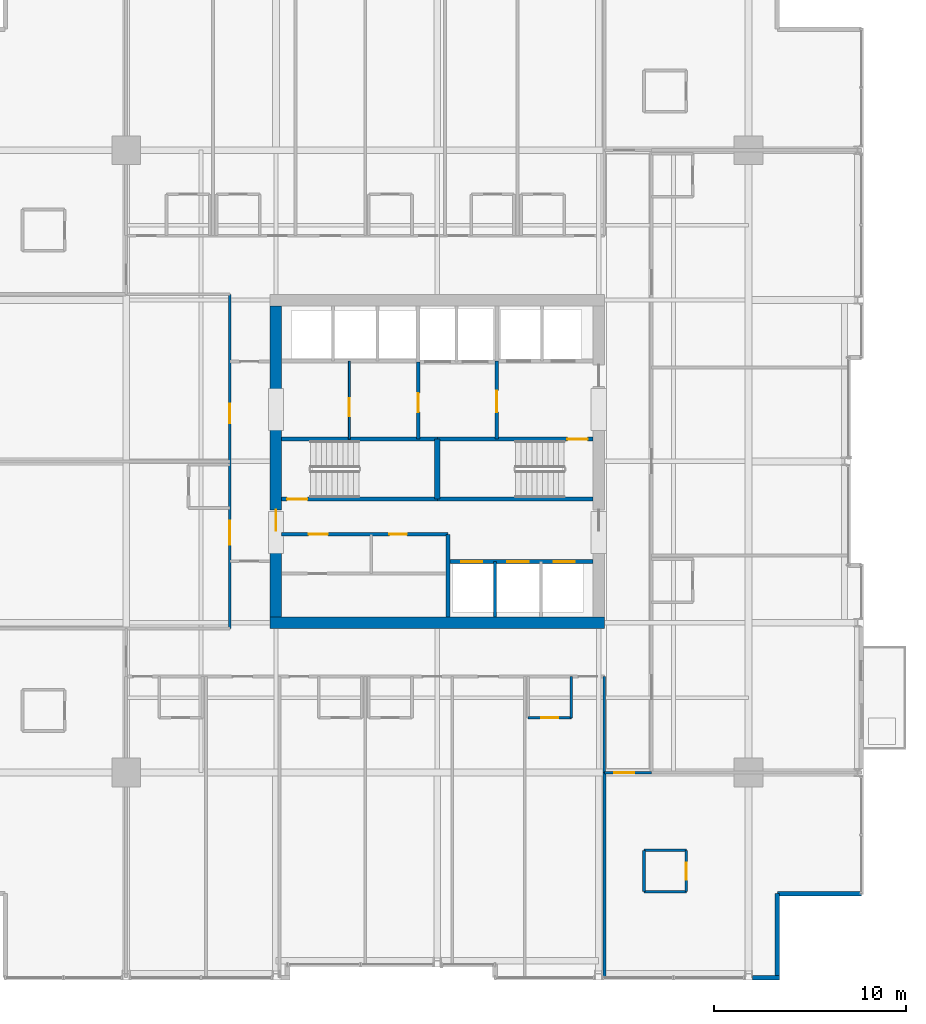
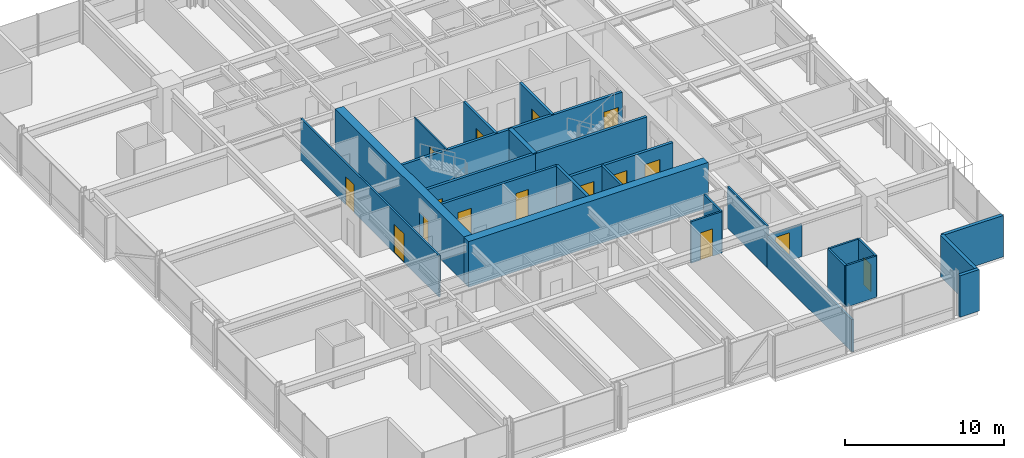
# One storey, part 29 of 35: 27 walls, 16 doors, 16 openings.
"""IFC4 building model written with IfcOpenShell, lengths in metres."""

from ifc_helpers import new_model, si_unit, direction, frame, frame_2d, origin, place, context, subcontext, project, spatial, rectangle, extrude, material, layer, layer_set, type_object, element, fill, save


model = new_model("IFC4")

# Units and contexts
model_context = context("Model", 3, precision=1e-05, world=origin(), true_north=direction((0.0, 1.0)))
body_context = subcontext(model_context, "Body", "Model", "MODEL_VIEW")
ifc_project = project(units=[si_unit("LENGTHUNIT", "METRE"), si_unit("AREAUNIT", "SQUARE_METRE"), si_unit("VOLUMEUNIT", "CUBIC_METRE"), si_unit("PLANEANGLEUNIT", "RADIAN"), si_unit("MASSUNIT", "GRAM", prefix="KILO")], contexts=[model_context])

# Site, building, storey
site_placement = place(None, origin())
site = spatial("IfcSite", under=ifc_project, at=site_placement, CompositionType="ELEMENT")
building_placement = place(site_placement, origin())
building = spatial("IfcBuilding", under=site, at=building_placement, Name="Drelvath Grand Hotel", CompositionType="ELEMENT")
storey_placement = place(building_placement, frame((0.0, 0.0, 137.300048828125)))
storey = spatial("IfcBuildingStorey", under=building, at=storey_placement, Name="L35", CompositionType="ELEMENT", Elevation=137.300048828125)

# Wall, opening, door
ifc_material_1 = material(Name="Gypsum Partition Board")
ifc_layer_1 = layer(ifc_material_1, 0.10009765625)
ifc_layer_set_1 = layer_set([ifc_layer_1], Name="Gypsum Partition Board")
wall_type_1 = type_object("IfcWallType", Name="Core Closet Partition 100", PredefinedType="PARTITIONING", material=ifc_layer_set_1)
wall_1_placement = place(storey_placement, frame((-4.580078125, 28.159912109375, 0.0), z_axis=(0.0, 0.0, 1.0), x_axis=(0.0, 1.0, 0.0)))
wall_1 = element("IfcWall", 1, at=wall_1_placement, inside=storey, type_object=wall_type_1, Name="L35 Core Closet Divider", PredefinedType="PARTITIONING", context=body_context, shape_type="SweptSolid", body=[
    extrude(rectangle(XDim=4.06005859375, YDim=0.10009765625, at=frame_2d((2.030029296875, 0.0))), origin(), (0.0, 0.0, 1.0), 3.179931640625),
])
opening_1_placement = place(wall_1_placement, frame((1.199951171875, 0.0, 0.0)))
opening_1 = element("IfcOpeningElement", 2, at=opening_1_placement, cuts=wall_1, Name="Opening D-T2G5-010", PredefinedType="OPENING", context=body_context, shape_type="SweptSolid", body=[
    extrude(rectangle(XDim=0.919921875, YDim=2.10009765625, at=frame_2d((0.4599609375, 1.050048828125))), frame((0.0, 0.06005859375, 0.0), z_axis=(0.0, -1.0, 0.0), x_axis=(1.0, 0.0, 0.0)), (0.0, 0.0, 1.0), 0.1201171875),
])
ifc_material_2 = material(Name="Painted Steel S275", Category="steel")
door_type_1 = type_object("IfcDoorType", Name="Staff Utility Door 920x2100", OperationType="NOTDEFINED", PredefinedType="DOOR", material=ifc_material_2)
door_1_placement = place(opening_1_placement, origin())
door_1 = element("IfcDoor", 3, at=door_1_placement, inside=storey, type_object=door_type_1, Name="L35 Electrical Closet Door", OperationType="SINGLE_SWING_RIGHT", OverallHeight=2.10009765625, OverallWidth=0.919921875, PredefinedType="DOOR", context=body_context, shape_type="SweptSolid", body=[
    extrude(rectangle(XDim=0.919921875, YDim=2.10009765625, at=frame_2d((0.4599609375, 1.050048828125))), frame((0.0, 0.02490234375, 0.0), z_axis=(0.0, -1.0, 0.0), x_axis=(1.0, 0.0, 0.0)), (0.0, 0.0, 1.0), 0.050048828125),
])
fill(opening_1, door_1)

# Wall, openings, doors
ifc_material_3 = material(Name="Concrete C40/50", Category="concrete")
ifc_layer_2 = layer(ifc_material_3, 0.199951171875)
ifc_layer_set_2 = layer_set([ifc_layer_2], Name="Concrete C40/50")
wall_type_2 = type_object("IfcWallType", Name="Core Hoistway Fire Wall 200", PredefinedType="SOLIDWALL", material=ifc_layer_set_2)
wall_2_placement = place(storey_placement, frame((8.10009765625, 21.780029296875, 0.0), z_axis=(0.0, 0.0, 1.0), x_axis=(-1.0, 0.0, 0.0)))
wall_2 = element("IfcWall", 4, at=wall_2_placement, inside=storey, type_object=wall_type_2, Name="L35 Bank 2 Hoistway Wall", PredefinedType="SOLIDWALL", context=body_context, shape_type="SweptSolid", body=[
    extrude(rectangle(XDim=7.550048828125, YDim=0.199951171875, at=frame_2d((3.77490234375, 0.0))), origin(), (0.0, 0.0, 1.0), 3.179931640625),
])
opening_2_placement = place(wall_2_placement, frame((5.75, 0.0, 0.0)))
opening_2 = element("IfcOpeningElement", 5, at=opening_2_placement, cuts=wall_2, Name="Opening LD-PE-4", PredefinedType="OPENING", context=body_context, shape_type="SweptSolid", body=[
    extrude(rectangle(XDim=1.10009765625, YDim=2.199951171875, at=frame_2d((0.550048828125, 1.10009765625))), frame((0.0, 0.10986328125, 0.0), z_axis=(0.0, -1.0, 0.0), x_axis=(1.0, 0.0, 0.0)), (0.0, 0.0, 1.0), 0.219970703125),
])
opening_3_placement = place(wall_2_placement, frame((3.35009765625, 0.0, 0.0)))
opening_3 = element("IfcOpeningElement", 6, at=opening_3_placement, cuts=wall_2, Name="Opening LD-PE-5", PredefinedType="OPENING", context=body_context, shape_type="SweptSolid", body=[
    extrude(rectangle(XDim=1.10009765625, YDim=2.199951171875, at=frame_2d((0.550048828125, 1.10009765625))), frame((0.0, 0.10986328125, 0.0), z_axis=(0.0, -1.0, 0.0), x_axis=(1.0, 0.0, 0.0)), (0.0, 0.0, 1.0), 0.219970703125),
])
opening_4_placement = place(wall_2_placement, frame((0.949951171875, 0.0, 0.0)))
opening_4 = element("IfcOpeningElement", 7, at=opening_4_placement, cuts=wall_2, Name="Opening LD-PE-6", PredefinedType="OPENING", context=body_context, shape_type="SweptSolid", body=[
    extrude(rectangle(XDim=1.10009765625, YDim=2.199951171875, at=frame_2d((0.550048828125, 1.10009765625))), frame((0.0, 0.10986328125, 0.0), z_axis=(0.0, -1.0, 0.0), x_axis=(1.0, 0.0, 0.0)), (0.0, 0.0, 1.0), 0.219970703125),
])
ifc_material_4 = material(Name="Stainless Steel S355", Category="steel")
door_type_2 = type_object("IfcDoorType", Name="Passenger Lift Sliding Landing Door 1100x2200", OperationType="NOTDEFINED", PredefinedType="DOOR", material=ifc_material_4)
door_2_placement = place(opening_2_placement, origin())
door_2 = element("IfcDoor", 8, at=door_2_placement, inside=storey, type_object=door_type_2, Name="L35 Lift PE-4 Landing Door", OperationType="SLIDING_TO_LEFT", OverallHeight=2.199951171875, OverallWidth=1.10009765625, PredefinedType="DOOR", context=body_context, shape_type="SweptSolid", body=[
    extrude(rectangle(XDim=1.10009765625, YDim=2.199951171875, at=frame_2d((0.550048828125, 1.10009765625))), frame((0.0, 0.02490234375, 0.0), z_axis=(0.0, -1.0, 0.0), x_axis=(1.0, 0.0, 0.0)), (0.0, 0.0, 1.0), 0.050048828125),
])
fill(opening_2, door_2)
door_3_placement = place(opening_3_placement, origin())
door_3 = element("IfcDoor", 9, at=door_3_placement, inside=storey, type_object=door_type_2, Name="L35 Lift PE-5 Landing Door", OperationType="SLIDING_TO_LEFT", OverallHeight=2.199951171875, OverallWidth=1.10009765625, PredefinedType="DOOR", context=body_context, shape_type="SweptSolid", body=[
    extrude(rectangle(XDim=1.10009765625, YDim=2.199951171875, at=frame_2d((0.550048828125, 1.10009765625))), frame((0.0, 0.02490234375, 0.0), z_axis=(0.0, -1.0, 0.0), x_axis=(1.0, 0.0, 0.0)), (0.0, 0.0, 1.0), 0.050048828125),
])
fill(opening_3, door_3)
door_4_placement = place(opening_4_placement, origin())
door_4 = element("IfcDoor", 10, at=door_4_placement, inside=storey, type_object=door_type_2, Name="L35 Lift PE-6 Landing Door", OperationType="SLIDING_TO_LEFT", OverallHeight=2.199951171875, OverallWidth=1.10009765625, PredefinedType="DOOR", context=body_context, shape_type="SweptSolid", body=[
    extrude(rectangle(XDim=1.10009765625, YDim=2.199951171875, at=frame_2d((0.550048828125, 1.10009765625))), frame((0.0, 0.02490234375, 0.0), z_axis=(0.0, -1.0, 0.0), x_axis=(1.0, 0.0, 0.0)), (0.0, 0.0, 1.0), 0.050048828125),
])
fill(opening_4, door_4)

# Wall
wall_3_placement = place(storey_placement, frame((0.550048828125, 18.89990234375, 0.0), z_axis=(0.0, 0.0, 1.0), x_axis=(0.0, 1.0, 0.0)))
element("IfcWall", 11, at=wall_3_placement, inside=storey, type_object=wall_type_2, Name="L35 Bank 2 West Wall", PredefinedType="SOLIDWALL", context=body_context, shape_type="SweptSolid", body=[
    extrude(rectangle(XDim=4.300048828125, YDim=0.199951171875, at=frame_2d((2.14990234375, 0.0))), origin(), (0.0, 0.0, 1.0), 3.179931640625),
])

# Wall, opening, door
ifc_layer_3 = layer(ifc_material_3, 0.199951171875)
ifc_layer_set_3 = layer_set([ifc_layer_3], Name="Concrete C40/50")
wall_type_3 = type_object("IfcWallType", Name="Core Shaft Fire Wall 200", PredefinedType="SOLIDWALL", material=ifc_layer_set_3)
wall_4_placement = place(storey_placement, frame((-8.10009765625, 25.0400390625, 0.0), z_axis=(0.0, 0.0, 1.0), x_axis=(1.0, 0.0, 0.0)))
wall_4 = element("IfcWall", 12, at=wall_4_placement, inside=storey, type_object=wall_type_3, Name="L35 Stair ST-1 South Wall", PredefinedType="SOLIDWALL", context=body_context, shape_type="SweptSolid", body=[
    extrude(rectangle(XDim=8.10009765625, YDim=0.199951171875, at=frame_2d((4.050048828125, 0.0))), origin(), (0.0, 0.0, 1.0), 3.179931640625),
])
opening_5_placement = place(wall_4_placement, frame((0.280029296875, 0.0, 0.0)))
opening_5 = element("IfcOpeningElement", 13, at=opening_5_placement, cuts=wall_4, Name="Opening D-T2G5-001", PredefinedType="OPENING", context=body_context, shape_type="SweptSolid", body=[
    extrude(rectangle(XDim=1.050048828125, YDim=2.10009765625, at=frame_2d((0.52490234375, 1.050048828125))), frame((0.0, 0.10986328125, 0.0), z_axis=(0.0, -1.0, 0.0), x_axis=(1.0, 0.0, 0.0)), (0.0, 0.0, 1.0), 0.219970703125),
])
door_type_3 = type_object("IfcDoorType", Name="Tower Stairwell Fire Door 1050x2100", OperationType="NOTDEFINED", PredefinedType="DOOR", material=ifc_material_2)
door_5_placement = place(opening_5_placement, origin())
door_5 = element("IfcDoor", 14, at=door_5_placement, inside=storey, type_object=door_type_3, Name="L35 Exit Stair ST-1 Door", OperationType="SINGLE_SWING_LEFT", OverallHeight=2.10009765625, OverallWidth=1.050048828125, PredefinedType="DOOR", context=body_context, shape_type="SweptSolid", body=[
    extrude(rectangle(XDim=1.050048828125, YDim=2.10009765625, at=frame_2d((0.52490234375, 1.050048828125))), frame((0.0, 0.02490234375, 0.0), z_axis=(0.0, -1.0, 0.0), x_axis=(1.0, 0.0, 0.0)), (0.0, 0.0, 1.0), 0.050048828125),
])
fill(opening_5, door_5)

# Walls
for number, where, z_axis, x_axis, name in (
    (15, (-8.10009765625, 28.159912109375, 0.0), (0.0, 0.0, 1.0), (1.0, 0.0, 0.0), "L35 Stair ST-1 North Wall"),
    (16, (0.0, 25.0400390625, 0.0), (0.0, 0.0, 1.0), (1.0, 0.0, 0.0), "L35 Stair ST-2 South Wall"),
):
    element("IfcWall", number, at=place(storey_placement, frame(where, z_axis=z_axis, x_axis=x_axis)), inside=storey, type_object=wall_type_3, Name=name, PredefinedType="SOLIDWALL", context=body_context, shape_type="SweptSolid", body=[
        extrude(rectangle(XDim=8.10009765625, YDim=0.199951171875, at=frame_2d((4.050048828125, 0.0))), origin(), (0.0, 0.0, 1.0), 3.179931640625),
    ])

# Wall, opening, door
wall_5_placement = place(storey_placement, frame((8.10009765625, 28.159912109375, 0.0), z_axis=(0.0, 0.0, 1.0), x_axis=(-1.0, 0.0, 0.0)))
wall_5 = element("IfcWall", 17, at=wall_5_placement, inside=storey, type_object=wall_type_3, Name="L35 Stair ST-2 North Wall", PredefinedType="SOLIDWALL", context=body_context, shape_type="SweptSolid", body=[
    extrude(rectangle(XDim=8.10009765625, YDim=0.199951171875, at=frame_2d((4.050048828125, 0.0))), origin(), (0.0, 0.0, 1.0), 3.179931640625),
])
opening_6_placement = place(wall_5_placement, frame((0.280029296875, 0.0, 0.0)))
opening_6 = element("IfcOpeningElement", 18, at=opening_6_placement, cuts=wall_5, Name="Opening D-T2G5-002", PredefinedType="OPENING", context=body_context, shape_type="SweptSolid", body=[
    extrude(rectangle(XDim=1.050048828125, YDim=2.10009765625, at=frame_2d((0.52490234375, 1.050048828125))), frame((0.0, 0.10986328125, 0.0), z_axis=(0.0, -1.0, 0.0), x_axis=(1.0, 0.0, 0.0)), (0.0, 0.0, 1.0), 0.219970703125),
])
door_6_placement = place(opening_6_placement, origin())
door_6 = element("IfcDoor", 19, at=door_6_placement, inside=storey, type_object=door_type_3, Name="L35 Exit Stair ST-2 Door", OperationType="SINGLE_SWING_LEFT", OverallHeight=2.10009765625, OverallWidth=1.050048828125, PredefinedType="DOOR", context=body_context, shape_type="SweptSolid", body=[
    extrude(rectangle(XDim=1.050048828125, YDim=2.10009765625, at=frame_2d((0.52490234375, 1.050048828125))), frame((0.0, 0.02490234375, 0.0), z_axis=(0.0, -1.0, 0.0), x_axis=(1.0, 0.0, 0.0)), (0.0, 0.0, 1.0), 0.050048828125),
])
fill(opening_6, door_6)

# Walls
ifc_layer_4 = layer(ifc_material_3, 0.300048828125)
ifc_layer_set_4 = layer_set([ifc_layer_4], Name="Concrete C40/50")
wall_type_4 = type_object("IfcWallType", Name="Core Shaft Fire Wall 300", PredefinedType="SOLIDWALL", material=ifc_layer_set_4)
wall_6_placement = place(storey_placement, frame((0.0, 25.0400390625, 0.0), z_axis=(0.0, 0.0, 1.0), x_axis=(0.0, 1.0, 0.0)))
element("IfcWall", 20, at=wall_6_placement, inside=storey, type_object=wall_type_4, Name="L35 Core Stair Divider Wall", PredefinedType="SOLIDWALL", context=body_context, shape_type="SweptSolid", body=[
    extrude(rectangle(XDim=3.119873046875, YDim=0.300048828125, at=frame_2d((1.56005859375, 0.0))), origin(), (0.0, 0.0, 1.0), 3.179931640625),
])
ifc_material_5 = material(Name="Gypsum Fireboard Partition")
ifc_layer_5 = layer(ifc_material_5, 0.1650390625)
ifc_layer_set_5 = layer_set([ifc_layer_5], Name="Gypsum Fireboard Partition")
wall_type_5 = type_object("IfcWallType", Name="Core Shaft Partition 165", PredefinedType="PARTITIONING", material=ifc_layer_set_5)
wall_7_placement = place(storey_placement, frame((3.0, 18.89990234375, 0.0), z_axis=(0.0, 0.0, 1.0), x_axis=(0.0, 1.0, 0.0)))
element("IfcWall", 21, at=wall_7_placement, inside=storey, type_object=wall_type_5, Name="L35 Lift PE-4/5 Divider", PredefinedType="PARTITIONING", context=body_context, shape_type="SweptSolid", body=[
    extrude(rectangle(XDim=2.880126953125, YDim=0.1650390625, at=frame_2d((1.43994140625, 0.0))), origin(), (0.0, 0.0, 1.0), 3.179931640625),
])
ifc_layer_6 = layer(ifc_material_5, 0.135009765625)
ifc_layer_set_6 = layer_set([ifc_layer_6], Name="Gypsum Fireboard Partition")
wall_type_6 = type_object("IfcWallType", Name="Corridor Fire Barrier Wall 135", PredefinedType="PARTITIONING", material=ifc_layer_set_6)
wall_8_placement = place(storey_placement, frame((8.699951171875, 10.800048828125, 0.0), z_axis=(0.0, 0.0, 1.0), x_axis=(0.0, 1.0, 0.0)))
element("IfcWall", 22, at=wall_8_placement, inside=storey, type_object=wall_type_6, Name="L35 East Spine South Inner Wall", PredefinedType="PARTITIONING", context=body_context, shape_type="SweptSolid", body=[
    extrude(rectangle(XDim=5.0, YDim=0.135009765625, at=frame_2d((2.5, 0.0))), origin(), (0.0, 0.0, 1.0), 3.179931640625),
])

# Wall, openings, doors
wall_9_placement = place(storey_placement, frame((-10.800048828125, 18.300048828125, 0.0), z_axis=(0.0, 0.0, 1.0), x_axis=(0.0, 1.0, 0.0)))
wall_9 = element("IfcWall", 23, at=wall_9_placement, inside=storey, type_object=wall_type_6, Name="L35 West Spine Wall", PredefinedType="PARTITIONING", context=body_context, shape_type="SweptSolid", body=[
    extrude(rectangle(XDim=17.39990234375, YDim=0.135009765625, at=frame_2d((8.699951171875, 0.0))), origin(), (0.0, 0.0, 1.0), 3.179931640625),
])
opening_7_placement = place(wall_9_placement, frame((4.35498046875, 0.0, 0.0)))
opening_7 = element("IfcOpeningElement", 24, at=opening_7_placement, cuts=wall_9, Name="Opening D-T2G5-056", PredefinedType="OPENING", context=body_context, shape_type="SweptSolid", body=[
    extrude(rectangle(XDim=1.260009765625, YDim=2.199951171875, at=frame_2d((0.6298828125, 1.10009765625))), frame((0.0, 0.077392578125, 0.0), z_axis=(0.0, -1.0, 0.0), x_axis=(1.0, 0.0, 0.0)), (0.0, 0.0, 1.0), 0.155029296875),
])
opening_8_placement = place(wall_9_placement, frame((10.68994140625, 0.0, 0.0)))
opening_8 = element("IfcOpeningElement", 25, at=opening_8_placement, cuts=wall_9, Name="Opening D-T2G5-057", PredefinedType="OPENING", context=body_context, shape_type="SweptSolid", body=[
    extrude(rectangle(XDim=1.02001953125, YDim=2.14990234375, at=frame_2d((0.510009765625, 1.074951171875))), frame((0.0, 0.077392578125, 0.0), z_axis=(0.0, -1.0, 0.0), x_axis=(1.0, 0.0, 0.0)), (0.0, 0.0, 1.0), 0.155029296875),
])
ifc_material_6 = material(Name="Hardwood Walnut Timber", Category="wood")
door_type_4 = type_object("IfcDoorType", Name="Amenity Meeting Fire Door 1020x2150", OperationType="NOTDEFINED", PredefinedType="DOOR", material=ifc_material_6)
door_7_placement = place(opening_8_placement, origin())
door_7 = element("IfcDoor", 26, at=door_7_placement, inside=storey, type_object=door_type_4, Name="L35 Spa Hydrotherapy Room Entry Door", OperationType="SINGLE_SWING_RIGHT", OverallHeight=2.14990234375, OverallWidth=1.02001953125, PredefinedType="DOOR", context=body_context, shape_type="SweptSolid", body=[
    extrude(rectangle(XDim=1.02001953125, YDim=2.14990234375, at=frame_2d((0.510009765625, 1.074951171875))), frame((0.0, 0.02490234375, 0.0), z_axis=(0.0, -1.0, 0.0), x_axis=(1.0, 0.0, 0.0)), (0.0, 0.0, 1.0), 0.050048828125),
])
fill(opening_8, door_7)
door_type_5 = type_object("IfcDoorType", Name="Suite Entrance Fire Door 1260x2200", OperationType="NOTDEFINED", PredefinedType="DOOR", material=ifc_material_6)
door_8_placement = place(opening_7_placement, origin())
door_8 = element("IfcDoor", 27, at=door_8_placement, inside=storey, type_object=door_type_5, Name="L35 Corner Suite Entry Door", OperationType="SINGLE_SWING_LEFT", OverallHeight=2.199951171875, OverallWidth=1.260009765625, PredefinedType="DOOR", context=body_context, shape_type="SweptSolid", body=[
    extrude(rectangle(XDim=1.260009765625, YDim=2.199951171875, at=frame_2d((0.6298828125, 1.10009765625))), frame((0.0, 0.02490234375, 0.0), z_axis=(0.0, -1.0, 0.0), x_axis=(1.0, 0.0, 0.0)), (0.0, 0.0, 1.0), 0.050048828125),
])
fill(opening_7, door_8)

# Wall, opening, door
wall_10_placement = place(storey_placement, frame((8.699951171875, 10.800048828125, 0.0), z_axis=(0.0, 0.0, 1.0), x_axis=(1.0, 0.0, 0.0)))
wall_10 = element("IfcWall", 28, at=wall_10_placement, inside=storey, type_object=wall_type_6, Name="L35 East Spine South End", PredefinedType="PARTITIONING", context=body_context, shape_type="SweptSolid", body=[
    extrude(rectangle(XDim=2.449951171875, YDim=0.135009765625, at=frame_2d((1.22509765625, 0.0))), origin(), (0.0, 0.0, 1.0), 2.469482421875),
])
opening_9_placement = place(wall_10_placement, frame((0.52001953125, 0.0, 0.0)))
opening_9 = element("IfcOpeningElement", 29, at=opening_9_placement, cuts=wall_10, Name="Opening D-T2G5-026", PredefinedType="OPENING", context=body_context, shape_type="SweptSolid", body=[
    extrude(rectangle(XDim=1.02001953125, YDim=2.14990234375, at=frame_2d((0.510009765625, 1.074951171875))), frame((0.0, 0.077392578125, 0.0), z_axis=(0.0, -1.0, 0.0), x_axis=(1.0, 0.0, 0.0)), (0.0, 0.0, 1.0), 0.155029296875),
])
door_9_placement = place(opening_9_placement, origin())
door_9 = element("IfcDoor", 30, at=door_9_placement, inside=storey, type_object=door_type_4, Name="L35 Corner Suite Entry Door", OperationType="SINGLE_SWING_LEFT", OverallHeight=2.14990234375, OverallWidth=1.02001953125, PredefinedType="DOOR", context=body_context, shape_type="SweptSolid", body=[
    extrude(rectangle(XDim=1.02001953125, YDim=2.14990234375, at=frame_2d((0.510009765625, 1.074951171875))), frame((0.0, 0.02490234375, 0.0), z_axis=(0.0, -1.0, 0.0), x_axis=(1.0, 0.0, 0.0)), (0.0, 0.0, 1.0), 0.050048828125),
])
fill(opening_9, door_9)

# Walls
ifc_material_7 = material(Name="Moisture-Resistant Gypsum Board")
ifc_layer_7 = layer(ifc_material_7, 0.139892578125)
ifc_layer_set_7 = layer_set([ifc_layer_7], Name="Moisture-Resistant Gypsum Board")
wall_type_7 = type_object("IfcWallType", Name="En-Suite Plumbing Wall 140", PredefinedType="PLUMBINGWALL", material=ifc_layer_set_7)
for number, where, z_axis, x_axis, name in (
    (31, (10.760009765625, 4.60009765625, 0.0), (0.0, 0.0, 1.0), (1.0, 0.0, 0.0), "L35 Corner En-Suite South"),
    (32, (10.760009765625, 6.75, 0.0), (0.0, 0.0, 1.0), (1.0, 0.0, 0.0), "L35 Corner En-Suite North"),
):
    element("IfcWall", number, at=place(storey_placement, frame(where, z_axis=z_axis, x_axis=x_axis)), inside=storey, type_object=wall_type_7, Name=name, PredefinedType="PLUMBINGWALL", context=body_context, shape_type="SweptSolid", body=[
        extrude(rectangle(XDim=2.199951171875, YDim=0.139892578125, at=frame_2d((1.10009765625, 0.0))), origin(), (0.0, 0.0, 1.0), 3.179931640625),
    ])
wall_11_placement = place(storey_placement, frame((10.760009765625, 4.60009765625, 0.0), z_axis=(0.0, 0.0, 1.0), x_axis=(0.0, 1.0, 0.0)))
element("IfcWall", 33, at=wall_11_placement, inside=storey, type_object=wall_type_7, Name="L35 Corner En-Suite West", PredefinedType="PLUMBINGWALL", context=body_context, shape_type="SweptSolid", body=[
    extrude(rectangle(XDim=2.14990234375, YDim=0.139892578125, at=frame_2d((1.074951171875, 0.0))), origin(), (0.0, 0.0, 1.0), 3.179931640625),
])

# Wall, opening, door
wall_12_placement = place(storey_placement, frame((12.9599609375, 4.60009765625, 0.0), z_axis=(0.0, 0.0, 1.0), x_axis=(0.0, 1.0, 0.0)))
wall_12 = element("IfcWall", 34, at=wall_12_placement, inside=storey, type_object=wall_type_7, Name="L35 Corner En-Suite East", PredefinedType="PLUMBINGWALL", context=body_context, shape_type="SweptSolid", body=[
    extrude(rectangle(XDim=2.14990234375, YDim=0.139892578125, at=frame_2d((1.074951171875, 0.0))), origin(), (0.0, 0.0, 1.0), 3.179931640625),
])
opening_10_placement = place(wall_12_placement, frame((0.6201171875, 0.0, 0.0)))
opening_10 = element("IfcOpeningElement", 35, at=opening_10_placement, cuts=wall_12, Name="Opening D-T2G5-025", PredefinedType="OPENING", context=body_context, shape_type="SweptSolid", body=[
    extrude(rectangle(XDim=0.8798828125, YDim=2.10009765625, at=frame_2d((0.43994140625, 1.050048828125))), frame((0.0, 0.079833984375, 0.0), z_axis=(0.0, -1.0, 0.0), x_axis=(1.0, 0.0, 0.0)), (0.0, 0.0, 1.0), 0.159912109375),
])
door_type_6 = type_object("IfcDoorType", Name="En-Suite Bathroom Door 880x2100", OperationType="NOTDEFINED", PredefinedType="DOOR", material=ifc_material_6)
door_10_placement = place(opening_10_placement, origin())
door_10 = element("IfcDoor", 36, at=door_10_placement, inside=storey, type_object=door_type_6, Name="L35 Corner En-Suite Door", OperationType="SINGLE_SWING_RIGHT", OverallHeight=2.10009765625, OverallWidth=0.8798828125, PredefinedType="DOOR", context=body_context, shape_type="SweptSolid", body=[
    extrude(rectangle(XDim=0.8798828125, YDim=2.10009765625, at=frame_2d((0.43994140625, 1.050048828125))), frame((0.0, 0.02490234375, 0.0), z_axis=(0.0, -1.0, 0.0), x_axis=(1.0, 0.0, 0.0)), (0.0, 0.0, 1.0), 0.050048828125),
])
fill(opening_10, door_10)

# Wall
wall_13_placement = place(storey_placement, frame((6.97998046875, 15.800048828125, 0.0), z_axis=(0.0, 0.0, 1.0), x_axis=(0.0, -1.0, 0.0)))
element("IfcWall", 37, at=wall_13_placement, inside=storey, type_object=wall_type_7, Name="L35 En-Suite Right Wall", PredefinedType="PLUMBINGWALL", context=body_context, shape_type="SweptSolid", body=[
    extrude(rectangle(XDim=2.150146484375, YDim=0.139892578125, at=frame_2d((1.0751953125, 0.0))), origin(), (0.0, 0.0, 1.0), 3.179931640625),
])

# Wall, opening, door
wall_14_placement = place(storey_placement, frame((4.72998046875, 13.64990234375, 0.0), z_axis=(0.0, 0.0, 1.0), x_axis=(1.0, 0.0, 0.0)))
wall_14 = element("IfcWall", 38, at=wall_14_placement, inside=storey, type_object=wall_type_7, Name="L35 En-Suite Front Wall", PredefinedType="PLUMBINGWALL", context=body_context, shape_type="SweptSolid", body=[
    extrude(rectangle(XDim=2.25, YDim=0.139892578125, at=frame_2d((1.125, 0.0))), origin(), (0.0, 0.0, 1.0), 3.179931640625),
])
opening_11_placement = place(wall_14_placement, frame((0.68505859375, 0.0, 0.0)))
opening_11 = element("IfcOpeningElement", 39, at=opening_11_placement, cuts=wall_14, Name="Opening D-T2G5-037", PredefinedType="OPENING", context=body_context, shape_type="SweptSolid", body=[
    extrude(rectangle(XDim=0.8798828125, YDim=2.10009765625, at=frame_2d((0.43994140625, 1.050048828125))), frame((0.0, 0.079833984375, 0.0), z_axis=(0.0, -1.0, 0.0), x_axis=(1.0, 0.0, 0.0)), (0.0, 0.0, 1.0), 0.159912109375),
])
door_11_placement = place(opening_11_placement, origin())
door_11 = element("IfcDoor", 40, at=door_11_placement, inside=storey, type_object=door_type_6, Name="L35 En-Suite Bathroom Door", OperationType="SINGLE_SWING_RIGHT", OverallHeight=2.10009765625, OverallWidth=0.8798828125, PredefinedType="DOOR", context=body_context, shape_type="SweptSolid", body=[
    extrude(rectangle(XDim=0.8798828125, YDim=2.10009765625, at=frame_2d((0.43994140625, 1.050048828125))), frame((0.0, 0.02490234375, 0.0), z_axis=(0.0, -1.0, 0.0), x_axis=(1.0, 0.0, 0.0)), (0.0, 0.0, 1.0), 0.050048828125),
])
fill(opening_11, door_11)

ifc_layer_8 = layer(ifc_material_5, 0.179931640625)
ifc_layer_set_8 = layer_set([ifc_layer_8], Name="Gypsum Fireboard Partition")
wall_type_8 = type_object("IfcWallType", Name="FSAE Smoke Lobby Fire Wall 180", PredefinedType="SOLIDWALL", material=ifc_layer_set_8)
wall_15_placement = place(storey_placement, frame((3.10009765625, 28.159912109375, 0.0), z_axis=(0.0, 0.0, 1.0), x_axis=(0.0, 1.0, 0.0)))
wall_15 = element("IfcWall", 41, at=wall_15_placement, inside=storey, type_object=wall_type_8, Name="L35 FSAE Smoke Lobby West Wall", PredefinedType="SOLIDWALL", context=body_context, shape_type="SweptSolid", body=[
    extrude(rectangle(XDim=4.06005859375, YDim=0.179931640625, at=frame_2d((2.030029296875, 0.0))), origin(), (0.0, 0.0, 1.0), 3.179931640625),
])
opening_12_placement = place(wall_15_placement, frame((1.39990234375, 0.0, 0.0)))
opening_12 = element("IfcOpeningElement", 42, at=opening_12_placement, cuts=wall_15, Name="Opening D-T2G5-005", PredefinedType="OPENING", context=body_context, shape_type="SweptSolid", body=[
    extrude(rectangle(XDim=1.1201171875, YDim=2.10009765625, at=frame_2d((0.56005859375, 1.050048828125))), frame((0.0, 0.099853515625, 0.0), z_axis=(0.0, -1.0, 0.0), x_axis=(1.0, 0.0, 0.0)), (0.0, 0.0, 1.0), 0.199951171875),
])
door_type_7 = type_object("IfcDoorType", Name="FSAE Smoke Lobby Fire Door 1120x2100", OperationType="NOTDEFINED", PredefinedType="DOOR", material=ifc_material_2)
door_12_placement = place(opening_12_placement, origin())
door_12 = element("IfcDoor", 43, at=door_12_placement, inside=storey, type_object=door_type_7, Name="L35 FSAE Lobby Service Vestibule Door", OperationType="SINGLE_SWING_RIGHT", OverallHeight=2.10009765625, OverallWidth=1.1201171875, PredefinedType="DOOR", context=body_context, shape_type="SweptSolid", body=[
    extrude(rectangle(XDim=1.1201171875, YDim=2.10009765625, at=frame_2d((0.56005859375, 1.050048828125))), frame((0.0, 0.02490234375, 0.0), z_axis=(0.0, -1.0, 0.0), x_axis=(1.0, 0.0, 0.0)), (0.0, 0.0, 1.0), 0.050048828125),
])
fill(opening_12, door_12)

wall_16_placement = place(storey_placement, frame((-1.0, 28.159912109375, 0.0), z_axis=(0.0, 0.0, 1.0), x_axis=(0.0, 1.0, 0.0)))
wall_16 = element("IfcWall", 44, at=wall_16_placement, inside=storey, type_object=wall_type_8, Name="L35 Service Vestibule West Wall", PredefinedType="SOLIDWALL", context=body_context, shape_type="SweptSolid", body=[
    extrude(rectangle(XDim=4.02001953125, YDim=0.179931640625, at=frame_2d((2.010009765625, 0.0))), origin(), (0.0, 0.0, 1.0), 3.179931640625),
])
opening_13_placement = place(wall_16_placement, frame((1.39990234375, 0.0, 0.0)))
opening_13 = element("IfcOpeningElement", 45, at=opening_13_placement, cuts=wall_16, Name="Opening D-T2G5-009", PredefinedType="OPENING", context=body_context, shape_type="SweptSolid", body=[
    extrude(rectangle(XDim=1.0, YDim=2.10009765625, at=frame_2d((0.5, 1.050048828125))), frame((0.0, 0.099853515625, 0.0), z_axis=(0.0, -1.0, 0.0), x_axis=(1.0, 0.0, 0.0)), (0.0, 0.0, 1.0), 0.199951171875),
])
door_type_8 = type_object("IfcDoorType", Name="Core Service Fire Door 1000x2100", OperationType="NOTDEFINED", PredefinedType="DOOR", material=ifc_material_2)
door_13_placement = place(opening_13_placement, origin())
door_13 = element("IfcDoor", 46, at=door_13_placement, inside=storey, type_object=door_type_8, Name="L35 Service Vestibule West Door", OperationType="SINGLE_SWING_LEFT", OverallHeight=2.10009765625, OverallWidth=1.0, PredefinedType="DOOR", context=body_context, shape_type="SweptSolid", body=[
    extrude(rectangle(XDim=1.0, YDim=2.10009765625, at=frame_2d((0.5, 1.050048828125))), frame((0.0, 0.02490234375, 0.0), z_axis=(0.0, -1.0, 0.0), x_axis=(1.0, 0.0, 0.0)), (0.0, 0.0, 1.0), 0.050048828125),
])
fill(opening_13, door_13)

# Wall, openings, doors
wall_17_placement = place(storey_placement, frame((-8.10009765625, 23.199951171875, 0.0), z_axis=(0.0, 0.0, 1.0), x_axis=(1.0, 0.0, 0.0)))
wall_17 = element("IfcWall", 47, at=wall_17_placement, inside=storey, type_object=wall_type_8, Name="L35 Reclaimed Core Room Wall", PredefinedType="SOLIDWALL", context=body_context, shape_type="SweptSolid", body=[
    extrude(rectangle(XDim=8.650146484375, YDim=0.179931640625, at=frame_2d((4.3251953125, 0.0))), origin(), (0.0, 0.0, 1.0), 3.179931640625),
])
opening_14_placement = place(wall_17_placement, frame((1.39990234375, 0.0, 0.0)))
opening_14 = element("IfcOpeningElement", 48, at=opening_14_placement, cuts=wall_17, Name="Opening D-T2G5-016", PredefinedType="OPENING", context=body_context, shape_type="SweptSolid", body=[
    extrude(rectangle(XDim=1.0, YDim=2.10009765625, at=frame_2d((0.5, 1.050048828125))), frame((0.0, 0.099853515625, 0.0), z_axis=(0.0, -1.0, 0.0), x_axis=(1.0, 0.0, 0.0)), (0.0, 0.0, 1.0), 0.199951171875),
])
opening_15_placement = place(wall_17_placement, frame((5.60009765625, 0.0, 0.0)))
opening_15 = element("IfcOpeningElement", 49, at=opening_15_placement, cuts=wall_17, Name="Opening D-T2G5-017", PredefinedType="OPENING", context=body_context, shape_type="SweptSolid", body=[
    extrude(rectangle(XDim=0.919921875, YDim=2.10009765625, at=frame_2d((0.4599609375, 1.050048828125))), frame((0.0, 0.099853515625, 0.0), z_axis=(0.0, -1.0, 0.0), x_axis=(1.0, 0.0, 0.0)), (0.0, 0.0, 1.0), 0.199951171875),
])
door_14_placement = place(opening_14_placement, origin())
door_14 = element("IfcDoor", 50, at=door_14_placement, inside=storey, type_object=door_type_8, Name="L35 Valet Room Door", OperationType="SINGLE_SWING_LEFT", OverallHeight=2.10009765625, OverallWidth=1.0, PredefinedType="DOOR", context=body_context, shape_type="SweptSolid", body=[
    extrude(rectangle(XDim=1.0, YDim=2.10009765625, at=frame_2d((0.5, 1.050048828125))), frame((0.0, 0.02490234375, 0.0), z_axis=(0.0, -1.0, 0.0), x_axis=(1.0, 0.0, 0.0)), (0.0, 0.0, 1.0), 0.050048828125),
])
fill(opening_14, door_14)
door_15_placement = place(opening_15_placement, origin())
door_15 = element("IfcDoor", 51, at=door_15_placement, inside=storey, type_object=door_type_8, Name="L35 Staff WC Door", OperationType="SINGLE_SWING_RIGHT", OverallHeight=2.10009765625, OverallWidth=0.919921875, PredefinedType="DOOR", context=body_context, shape_type="SweptSolid", body=[
    extrude(rectangle(XDim=0.919921875, YDim=2.10009765625, at=frame_2d((0.4599609375, 1.050048828125))), frame((0.0, 0.02490234375, 0.0), z_axis=(0.0, -1.0, 0.0), x_axis=(1.0, 0.0, 0.0)), (0.0, 0.0, 1.0), 0.050048828125),
])
fill(opening_15, door_15)

# Wall
ifc_material_8 = material(Name="Concrete f'c 70 MPa", Category="concrete")
ifc_layer_9 = layer(ifc_material_8, 0.60009765625)
ifc_layer_set_9 = layer_set([ifc_layer_9], Name="Concrete f'c 70 MPa")
wall_type_9 = type_object("IfcWallType", Name="Lower Core RC Shear Wall 600", PredefinedType="SHEAR", material=ifc_layer_set_9)
wall_18_placement = place(storey_placement, frame((8.699951171875, 18.60009765625, 0.0), z_axis=(0.0, 0.0, 1.0), x_axis=(-1.0, 0.0, 0.0)))
element("IfcWall", 52, at=wall_18_placement, inside=storey, type_object=wall_type_9, Name="L35 Central Core Shear Wall S", PredefinedType="SHEAR", context=body_context, shape_type="SweptSolid", body=[
    extrude(rectangle(XDim=17.39990234375, YDim=0.60009765625, at=frame_2d((8.699951171875, 0.0))), origin(), (0.0, 0.0, 1.0), 3.5),
])

# Wall, opening, door
wall_19_placement = place(storey_placement, frame((-8.39990234375, 18.89990234375, 0.0), z_axis=(0.0, 0.0, 1.0), x_axis=(0.0, 1.0, 0.0)))
wall_19 = element("IfcWall", 53, at=wall_19_placement, inside=storey, type_object=wall_type_9, Name="L35 Central Core Shear Wall W", PredefinedType="SHEAR", context=body_context, shape_type="SweptSolid", body=[
    extrude(rectangle(XDim=16.2001953125, YDim=0.60009765625, at=frame_2d((8.10009765625, 0.0))), origin(), (0.0, 0.0, 1.0), 3.5),
])
opening_16_placement = place(wall_19_placement, frame((4.5, 0.0, 0.0)))
opening_16 = element("IfcOpeningElement", 54, at=opening_16_placement, cuts=wall_19, Name="Opening D-T2G5-014", PredefinedType="OPENING", context=body_context, shape_type="SweptSolid", body=[
    extrude(rectangle(XDim=1.080078125, YDim=2.0400390625, at=frame_2d((0.5400390625, 1.02001953125))), frame((0.0, 0.31005859375, 0.0), z_axis=(0.0, -1.0, 0.0), x_axis=(1.0, 0.0, 0.0)), (0.0, 0.0, 1.0), 0.6201171875),
])
door_type_9 = type_object("IfcDoorType", Name="Core Corridor Fire Door 1080x2100", OperationType="NOTDEFINED", PredefinedType="DOOR", material=ifc_material_2)
door_16_placement = place(opening_16_placement, origin())
door_16 = element("IfcDoor", 55, at=door_16_placement, inside=storey, type_object=door_type_9, Name="L35 Mid-Rise Lobby West Door", OperationType="SINGLE_SWING_LEFT", OverallHeight=2.0400390625, OverallWidth=1.080078125, PredefinedType="DOOR", context=body_context, shape_type="SweptSolid", body=[
    extrude(rectangle(XDim=1.080078125, YDim=2.0400390625, at=frame_2d((0.5400390625, 1.02001953125))), frame((0.0, 0.02490234375, 0.0), z_axis=(0.0, -1.0, 0.0), x_axis=(1.0, 0.0, 0.0)), (0.0, 0.0, 1.0), 0.050048828125),
])
fill(opening_16, door_16)

# Walls
ifc_material_9 = material(Name="Gypsum Acoustic Partition")
ifc_layer_10 = layer(ifc_material_9, 0.1650390625)
ifc_layer_set_10 = layer_set([ifc_layer_10], Name="Gypsum Acoustic Partition")
wall_type_10 = type_object("IfcWallType", Name="Suite Demising Wall 165", PredefinedType="PARTITIONING", material=ifc_layer_set_10)
wall_20_placement = place(storey_placement, frame((8.699951171875, 0.1201171875, 0.0), z_axis=(0.0, 0.0, 1.0), x_axis=(0.0, 1.0, 0.0)))
element("IfcWall", 56, at=wall_20_placement, inside=storey, type_object=wall_type_10, Name="L35 SE Suite West Wall", PredefinedType="PARTITIONING", context=body_context, shape_type="SweptSolid", body=[
    extrude(rectangle(XDim=10.679931640625, YDim=0.1650390625, at=frame_2d((5.33984375, 0.0))), origin(), (0.0, 0.0, 1.0), 2.469482421875),
])
ifc_material_10 = material(Name="Pale-Metal Insulated Aluminium Spandrel Assembly", Category="aluminium")
ifc_layer_11 = layer(ifc_material_10, 0.239990234375)
ifc_layer_set_11 = layer_set([ifc_layer_11], Name="Pale-Metal Insulated Aluminium Spandrel Assembly")
wall_type_11 = type_object("IfcWallType", Name="Tower Insulated Metal Spandrel Closure Wall 240", PredefinedType="STANDARD", material=ifc_layer_set_11)
wall_21_placement = place(storey_placement, frame((17.820068359375, 0.1201171875, 0.0), z_axis=(0.0, 0.0, 1.0), x_axis=(-1.0, 0.0, 0.0)))
element("IfcWall", 57, at=wall_21_placement, inside=storey, type_object=wall_type_11, Name="L35 Corner Pier Spandrel Wall SE3", PredefinedType="STANDARD", context=body_context, shape_type="SweptSolid", body=[
    extrude(rectangle(XDim=1.41064453125, YDim=0.239990234375, at=frame_2d((0.705322265625, 0.0))), origin(), (0.0, 0.0, 1.0), 3.179931640625),
])
wall_22_placement = place(storey_placement, frame((22.080078125, 4.5, 0.0), z_axis=(0.0, 0.0, 1.0), x_axis=(-1.0, 0.0, 0.0)))
element("IfcWall", 58, at=wall_22_placement, inside=storey, type_object=wall_type_11, Name="L35 Notched Corner Return Spandrel Wall CSE1", PredefinedType="STANDARD", context=body_context, shape_type="SweptSolid", body=[
    extrude(rectangle(XDim=4.380126953125, YDim=0.239990234375, at=frame_2d((2.18994140625, 0.0))), origin(), (0.0, 0.0, 1.0), 3.179931640625),
])
wall_23_placement = place(storey_placement, frame((17.699951171875, 4.5, 0.0), z_axis=(0.0, 0.0, 1.0), x_axis=(0.0, -1.0, 0.0)))
element("IfcWall", 59, at=wall_23_placement, inside=storey, type_object=wall_type_11, Name="L35 Notched Corner Return Spandrel Wall CSE2", PredefinedType="STANDARD", context=body_context, shape_type="SweptSolid", body=[
    extrude(rectangle(XDim=4.260009765625, YDim=0.239990234375, at=frame_2d((2.1298828125, 0.0))), origin(), (0.0, 0.0, 1.0), 3.179931640625),
])

save(model, "model.ifc")
